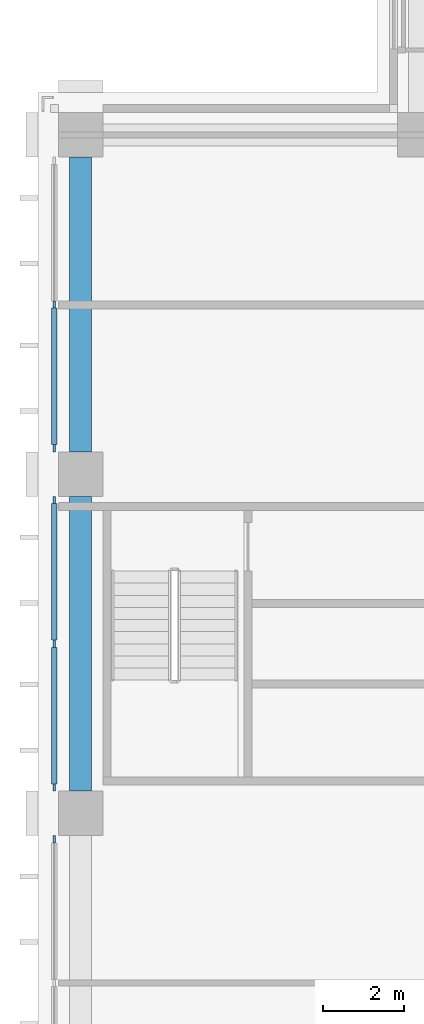
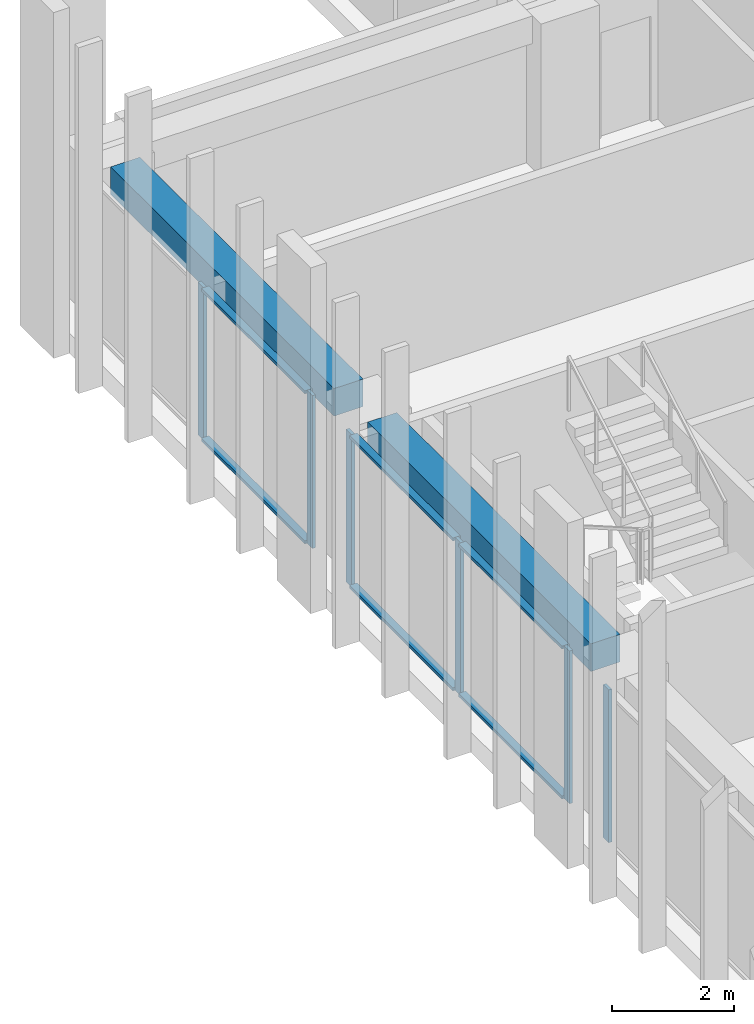
# One storey, part 4 of 16: 12 members, 2 beams, 3 elements without a shape of their own.
"""IFC4 building model written with IfcOpenShell, lengths in metres."""

from ifc_helpers import new_model, si_unit, direction, frame, origin, origin_2d, place, context, subcontext, project, spatial, rectangle, extrude, material, material_profile, profile_set, type_object, element, aggregate, save


model = new_model("IFC4")

# Units and contexts
model_context = context("Model", 3, precision=1e-05, world=origin(), true_north=direction((0.0, 1.0)))
body_context = subcontext(model_context, "Body", "Model", "MODEL_VIEW")
ifc_project = project(units=[si_unit("LENGTHUNIT", "METRE"), si_unit("AREAUNIT", "SQUARE_METRE"), si_unit("VOLUMEUNIT", "CUBIC_METRE"), si_unit("PLANEANGLEUNIT", "RADIAN"), si_unit("MASSUNIT", "GRAM", prefix="KILO")], contexts=[model_context])

# Site, building, storey
site_placement = place(None, origin())
site = spatial("IfcSite", under=ifc_project, at=site_placement, CompositionType="ELEMENT")
building_placement = place(site_placement, origin())
building = spatial("IfcBuilding", under=site, at=building_placement, Name="Vermilion Ogive Tower", CompositionType="ELEMENT")
storey_placement = place(building_placement, frame((0.0, 0.0, 150.35009765625)))
storey = spatial("IfcBuildingStorey", under=building, at=storey_placement, Name="L38", CompositionType="ELEMENT", Elevation=150.35009765625)

# Curtain wall, members
ifc_material_1 = material(Name="Low-iron laminated glazing in aluminium frame", Category="aluminium")
curtain_wall_type = type_object("IfcCurtainWallType", Name="Curtain wall CW7", PredefinedType="NOTDEFINED", material=ifc_material_1)
curtain_wall_1_placement = place(storey_placement, origin())
curtain_wall_1 = element("IfcCurtainWall", 1, at=curtain_wall_1_placement, inside=storey, type_object=curtain_wall_type, Name="Glazed skin W1", PredefinedType="NOTDEFINED")
ifc_material_2 = material(Name="Aluminium mullion", Category="aluminium")
ifc_material_profile_1 = material_profile(ifc_material_2, rectangle(XDim=0.06005859375, YDim=0.179931640625, at=origin_2d()), Name="AL 60x180")
ifc_profile_set_1 = profile_set([ifc_material_profile_1], Name="Aluminium mullion")
member_type_1 = type_object("IfcMemberType", Name="CW7 mullion 60x180", PredefinedType="MULLION", material=ifc_profile_set_1)
member_1_placement = place(storey_placement, frame((-21.64990234375, 8.39990234375, 0.0), z_axis=(0.0, 0.0, 1.0), x_axis=(1.0, 0.0, 0.0)))
member_1 = element("IfcMember", 2, at=member_1_placement, type_object=member_type_1, Name="CW7-W1 mullion 2", PredefinedType="MULLION", context=body_context, shape_type="SweptSolid", body=[
    extrude(rectangle(XDim=0.06005859375, YDim=0.179931640625, at=origin_2d()), origin(), (0.0, 0.0, 1.0), 3.0498046875),
])
member_2_placement = place(storey_placement, frame((-21.64990234375, 4.840087890625, 0.0), z_axis=(0.0, 0.0, 1.0), x_axis=(1.0, 0.0, 0.0)))
member_2 = element("IfcMember", 3, at=member_2_placement, type_object=member_type_1, Name="CW7-W1 mullion 3", PredefinedType="MULLION", context=body_context, shape_type="SweptSolid", body=[
    extrude(rectangle(XDim=0.06005859375, YDim=0.179931640625, at=origin_2d()), origin(), (0.0, 0.0, 1.0), 3.0498046875),
])

curtain_wall_2_placement = place(storey_placement, origin())
curtain_wall_2 = element("IfcCurtainWall", 4, at=curtain_wall_2_placement, inside=storey, type_object=curtain_wall_type, Name="Glazed skin W2", PredefinedType="NOTDEFINED")
member_3_placement = place(storey_placement, frame((-21.64990234375, 3.56005859375, 0.0), z_axis=(0.0, 0.0, 1.0), x_axis=(1.0, 0.0, 0.0)))
member_3 = element("IfcMember", 5, at=member_3_placement, type_object=member_type_1, Name="CW7-W2 mullion 1", PredefinedType="MULLION", context=body_context, shape_type="SweptSolid", body=[
    extrude(rectangle(XDim=0.06005859375, YDim=0.179931640625, at=origin_2d()), origin(), (0.0, 0.0, 1.0), 3.0498046875),
])
member_4_placement = place(storey_placement, frame((-21.64990234375, 0.0, 0.0), z_axis=(0.0, 0.0, 1.0), x_axis=(1.0, 0.0, 0.0)))
member_4 = element("IfcMember", 6, at=member_4_placement, type_object=member_type_1, Name="CW7-W2 mullion 2", PredefinedType="MULLION", context=body_context, shape_type="SweptSolid", body=[
    extrude(rectangle(XDim=0.06005859375, YDim=0.179931640625, at=origin_2d()), origin(), (0.0, 0.0, 1.0), 3.0498046875),
])
member_5_placement = place(storey_placement, frame((-21.64990234375, -3.56005859375, 0.0), z_axis=(0.0, 0.0, 1.0), x_axis=(1.0, 0.0, 0.0)))
member_5 = element("IfcMember", 7, at=member_5_placement, type_object=member_type_1, Name="CW7-W2 mullion 3", PredefinedType="MULLION", context=body_context, shape_type="SweptSolid", body=[
    extrude(rectangle(XDim=0.06005859375, YDim=0.179931640625, at=origin_2d()), origin(), (0.0, 0.0, 1.0), 3.0498046875),
])

# Curtain wall, member
curtain_wall_3_placement = place(storey_placement, origin())
curtain_wall_3 = element("IfcCurtainWall", 8, at=curtain_wall_3_placement, inside=storey, type_object=curtain_wall_type, Name="Glazed skin W3", PredefinedType="NOTDEFINED")
member_6_placement = place(storey_placement, frame((-21.64990234375, -4.840087890625, 0.0), z_axis=(0.0, 0.0, 1.0), x_axis=(1.0, 0.0, 0.0)))
member_6 = element("IfcMember", 9, at=member_6_placement, type_object=member_type_1, Name="CW7-W3 mullion 1", PredefinedType="MULLION", context=body_context, shape_type="SweptSolid", body=[
    extrude(rectangle(XDim=0.06005859375, YDim=0.179931640625, at=origin_2d()), origin(), (0.0, 0.0, 1.0), 3.0498046875),
])
aggregate(curtain_wall_3, [member_6])

# Member
ifc_material_3 = material(Name="Aluminium transom", Category="aluminium")
ifc_material_profile_2 = material_profile(ifc_material_3, rectangle(XDim=0.139892578125, YDim=0.06005859375, at=origin_2d()), Name="AL 60x140")
ifc_profile_set_2 = profile_set([ifc_material_profile_2], Name="Aluminium transom")
member_type_2 = type_object("IfcMemberType", Name="CW7 transom 60x140", PredefinedType="USERDEFINED", material=ifc_profile_set_2)
member_7_placement = place(storey_placement, frame((-21.64990234375, 8.31005859375, 0.02978515625), z_axis=(0.0, -1.0, 0.0), x_axis=(1.0, 0.0, 0.0)))
member_7 = element("IfcMember", 10, at=member_7_placement, type_object=member_type_2, Name="CW7-W1 transom 2.1", ObjectType="TRANSOM", PredefinedType="USERDEFINED", context=body_context, shape_type="SweptSolid", body=[
    extrude(rectangle(XDim=0.139892578125, YDim=0.06005859375, at=origin_2d()), origin(), (0.0, 0.0, 1.0), 3.380126953125),
])

member_8_placement = place(storey_placement, frame((-21.64990234375, 8.31005859375, 3.02001953125), z_axis=(0.0, -1.0, 0.0), x_axis=(1.0, 0.0, 0.0)))
member_8 = element("IfcMember", 11, at=member_8_placement, type_object=member_type_2, Name="CW7-W1 transom 2.2", ObjectType="TRANSOM", PredefinedType="USERDEFINED", context=body_context, shape_type="SweptSolid", body=[
    extrude(rectangle(XDim=0.139892578125, YDim=0.06005859375, at=origin_2d()), origin(), (0.0, 0.0, 1.0), 3.380126953125),
])

aggregate(curtain_wall_1, [member_1, member_2, member_7, member_8])

member_9_placement = place(storey_placement, frame((-21.64990234375, 3.469970703125, 0.02978515625), z_axis=(0.0, -1.0, 0.0), x_axis=(1.0, 0.0, 0.0)))
member_9 = element("IfcMember", 12, at=member_9_placement, type_object=member_type_2, Name="CW7-W2 transom 1.1", ObjectType="TRANSOM", PredefinedType="USERDEFINED", context=body_context, shape_type="SweptSolid", body=[
    extrude(rectangle(XDim=0.139892578125, YDim=0.06005859375, at=origin_2d()), origin(), (0.0, 0.0, 1.0), 3.3798828125),
])

member_10_placement = place(storey_placement, frame((-21.64990234375, 3.469970703125, 3.02001953125), z_axis=(0.0, -1.0, 0.0), x_axis=(1.0, 0.0, 0.0)))
member_10 = element("IfcMember", 13, at=member_10_placement, type_object=member_type_2, Name="CW7-W2 transom 1.2", ObjectType="TRANSOM", PredefinedType="USERDEFINED", context=body_context, shape_type="SweptSolid", body=[
    extrude(rectangle(XDim=0.139892578125, YDim=0.06005859375, at=origin_2d()), origin(), (0.0, 0.0, 1.0), 3.3798828125),
])

member_11_placement = place(storey_placement, frame((-21.64990234375, -0.090087890625, 0.02978515625), z_axis=(0.0, -1.0, 0.0), x_axis=(1.0, 0.0, 0.0)))
member_11 = element("IfcMember", 14, at=member_11_placement, type_object=member_type_2, Name="CW7-W2 transom 2.1", ObjectType="TRANSOM", PredefinedType="USERDEFINED", context=body_context, shape_type="SweptSolid", body=[
    extrude(rectangle(XDim=0.139892578125, YDim=0.06005859375, at=origin_2d()), origin(), (0.0, 0.0, 1.0), 3.3798828125),
])

member_12_placement = place(storey_placement, frame((-21.64990234375, -0.090087890625, 3.02001953125), z_axis=(0.0, -1.0, 0.0), x_axis=(1.0, 0.0, 0.0)))
member_12 = element("IfcMember", 15, at=member_12_placement, type_object=member_type_2, Name="CW7-W2 transom 2.2", ObjectType="TRANSOM", PredefinedType="USERDEFINED", context=body_context, shape_type="SweptSolid", body=[
    extrude(rectangle(XDim=0.139892578125, YDim=0.06005859375, at=origin_2d()), origin(), (0.0, 0.0, 1.0), 3.3798828125),
])

aggregate(curtain_wall_2, [member_3, member_4, member_5, member_9, member_10, member_11, member_12])

# Beams
ifc_material_4 = material(Name="Concrete B45", Category="concrete")
ifc_material_profile_3 = material_profile(ifc_material_4, rectangle(XDim=0.550048828125, YDim=0.550048828125, at=origin_2d()), Name="550 x 550")
ifc_profile_set_3 = profile_set([ifc_material_profile_3], Name="Concrete B45")
beam_type = type_object("IfcBeamType", Name="Edge beam 550 x 550 B45", PredefinedType="BEAM", material=ifc_profile_set_3)
beam_1_placement = place(storey_placement, frame((-21.0, 12.050048828125, 2.77490234375), z_axis=(0.0, -1.0, 0.0), x_axis=(1.0, 0.0, 0.0)))
element("IfcBeam", 16, at=beam_1_placement, inside=storey, type_object=beam_type, Name="L38-EB-13", PredefinedType="BEAM", context=body_context, shape_type="SweptSolid", body=[
    extrude(rectangle(XDim=0.550048828125, YDim=0.550048828125, at=origin_2d()), origin(), (0.0, 0.0, 1.0), 7.300048828125),
])
beam_2_placement = place(storey_placement, frame((-21.0, 3.64990234375, 2.77490234375), z_axis=(0.0, -1.0, 0.0), x_axis=(1.0, 0.0, 0.0)))
element("IfcBeam", 17, at=beam_2_placement, inside=storey, type_object=beam_type, Name="L38-EB-14", PredefinedType="BEAM", context=body_context, shape_type="SweptSolid", body=[
    extrude(rectangle(XDim=0.550048828125, YDim=0.550048828125, at=origin_2d()), origin(), (0.0, 0.0, 1.0), 7.2998046875),
])

save(model, "model.ifc")
